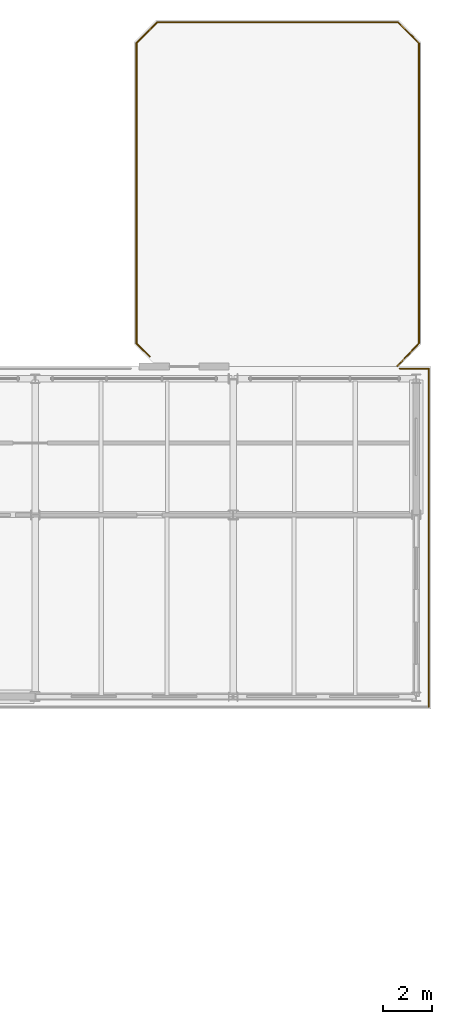
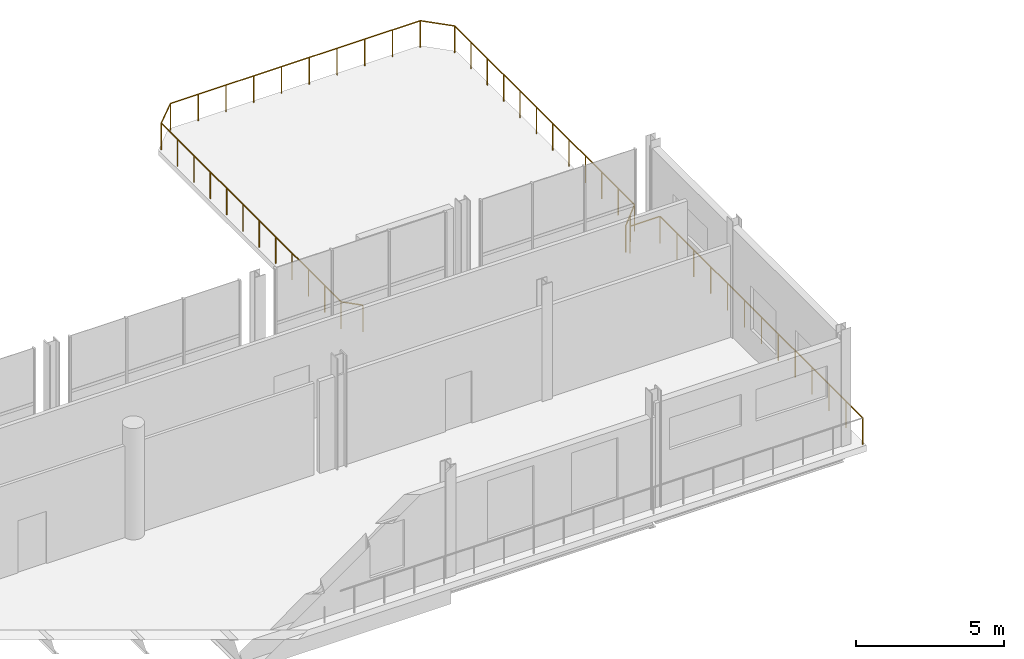
# One storey, part 51 of 51: 9 railings.
"""IFC4 building model written with IfcOpenShell, lengths in metres."""

import ifcopenshell
import ifcopenshell.guid

model = None  # the IFC model being written
_history = None  # IfcOwnerHistory: only IFC2X3 demands one
_inside = {}  # id of a spatial element -> (the spatial element, [elements in it])
_under = {}  # id of a project, library or spatial element -> (it, [spatial elements below it])
_declared = {}  # id of a project -> (the project, [libraries it declares])
_typed = {}  # id of a type object -> (the type object, [elements of that type])
_made_of = {}  # id of a material, layer set ... -> (it, [elements and type objects made of it])


def new_model(schema):
    """Start an empty IFC model of exactly this schema.

    Asked for "IFC4X3", IfcOpenShell would pick the latest addendum, in which some entities
    have other attributes; the version numbers below select the first issue.
    IFC2X3 requires an IfcOwnerHistory on every rooted entity: one is made here for all.
    """
    global model, _history
    if schema == "IFC4X3":
        model = ifcopenshell.file(schema_version=(4, 3, 0, 0))
    else:
        model = ifcopenshell.file(schema=schema)
    _inside.clear()
    _under.clear()
    _declared.clear()
    _typed.clear()
    _made_of.clear()
    _history = None
    if model.schema == "IFC2X3":
        org = make("IfcOrganization", Name="unknown")
        user = make(
            "IfcPersonAndOrganization",
            ThePerson=make("IfcPerson", FamilyName="unknown"),
            TheOrganization=org,
        )
        app = make(
            "IfcApplication",
            ApplicationDeveloper=org,
            Version="unknown",
            ApplicationFullName="unknown",
            ApplicationIdentifier="unknown",
        )
        _history = make(
            "IfcOwnerHistory",
            OwningUser=user,
            OwningApplication=app,
            ChangeAction="ADDED",
            CreationDate=0,
        )
    return model


def make(cls, **values):
    """One entity of the class cls with the attributes given. An attribute that is None is left unset."""
    return model.create_entity(
        cls, **{name: value for name, value in values.items() if value is not None}
    )


def rooted(cls, **values):
    """An entity with a GlobalId (a new one), such as an element, a storey or a relation."""
    return make(cls, GlobalId=ifcopenshell.guid.new(), OwnerHistory=_history, **values)


def si_unit(unit_type, name, prefix=None):
    """IfcSIUnit, for example si_unit("LENGTHUNIT", "METRE", prefix="MILLI")."""
    return make("IfcSIUnit", UnitType=unit_type, Prefix=prefix, Name=name)


def assignment(units):
    """IfcUnitAssignment: the units of a project."""
    return None if units is None else make("IfcUnitAssignment", Units=units)


def point(xyz):
    """IfcCartesianPoint."""
    return None if xyz is None else make("IfcCartesianPoint", Coordinates=xyz)


def direction(xyz):
    """IfcDirection."""
    return None if xyz is None else make("IfcDirection", DirectionRatios=xyz)


def frame(location, z_axis=None, x_axis=None):
    """IfcAxis2Placement3D, a coordinate frame: its origin and axes. An axis left out is left unset."""
    return make(
        "IfcAxis2Placement3D",
        Location=point(location),
        Axis=direction(z_axis),
        RefDirection=direction(x_axis),
    )


def frame_2d(location, x_axis=None):
    """IfcAxis2Placement2D, a coordinate frame in the plane: its origin and x axis."""
    return make(
        "IfcAxis2Placement2D", Location=point(location), RefDirection=direction(x_axis)
    )


def origin():
    """The frame at (0, 0, 0) with its axes left unset."""
    return frame((0.0, 0.0, 0.0))


def origin_2d():
    """The frame at (0, 0) in the plane with its x axis left unset."""
    return frame_2d((0.0, 0.0))


def place(relative_to, where):
    """IfcLocalPlacement: puts the frame where relative to a parent placement (None: the world)."""
    return make(
        "IfcLocalPlacement", PlacementRelTo=relative_to, RelativePlacement=where
    )


def context(
    kind, dimensions, precision=None, world=None, true_north=None, identifier=None
):
    """IfcGeometricRepresentationContext, for example the 3D "Model" context."""
    return make(
        "IfcGeometricRepresentationContext",
        ContextIdentifier=identifier,
        ContextType=kind,
        CoordinateSpaceDimension=dimensions,
        Precision=precision,
        WorldCoordinateSystem=world,
        TrueNorth=true_north,
    )


def subcontext(parent, identifier, kind, view, scale=None):
    """IfcGeometricRepresentationSubContext, for example "Body" below "Model"."""
    return make(
        "IfcGeometricRepresentationSubContext",
        ContextIdentifier=identifier,
        ContextType=kind,
        ParentContext=parent,
        TargetScale=scale,
        TargetView=view,
    )


def project(units=None, contexts=None):
    """IfcProject with its units and contexts."""
    return rooted(
        "IfcProject",
        Name="project",
        RepresentationContexts=contexts,
        UnitsInContext=assignment(units),
    )


def spatial(cls, under=None, at=None, **own):
    """A site, building, storey or space (cls), placed at a placement, below another one or the project."""
    s = rooted(cls, ObjectPlacement=at, **own)
    if under is not None:
        _under.setdefault(under.id(), (under, []))[1].append(s)
    return s


def profile(cls, at=None, kind="AREA", **sizes):
    """A parametric profile (cls). Its sizes go by their IFC names, for example OverallWidth=200.0."""
    return make(cls, ProfileType=kind, Position=at, **sizes)


def circle(**sizes):
    """IfcCircleProfileDef."""
    return profile("IfcCircleProfileDef", **sizes)


def extrude(swept, where, along, depth):
    """IfcExtrudedAreaSolid: the profile swept, set in the frame where, extruded along a direction by depth."""
    return make(
        "IfcExtrudedAreaSolid",
        SweptArea=swept,
        Position=where,
        ExtrudedDirection=direction(along),
        Depth=depth,
    )


def shape(context_of_items, identifier, shape_type, items):
    """IfcShapeRepresentation: the items that make up one representation, for example the "Body"."""
    return make(
        "IfcShapeRepresentation",
        ContextOfItems=context_of_items,
        RepresentationIdentifier=identifier,
        RepresentationType=shape_type,
        Items=items,
    )


def material(Name=None, Category=None):
    """IfcMaterial."""
    return make("IfcMaterial", Name=Name, Category=Category)


def made_of(thing, what):
    """Note that an element or type object is made of a material, layer set ...; save() writes the relation."""
    if what is not None:
        _made_of.setdefault(what.id(), (what, []))[1].append(thing)
    return thing


def type_object(cls, material=None, **own):
    """A type object (cls), such as IfcWallType, which elements share."""
    return made_of(rooted(cls, **own), material)


def element(
    cls,
    number,
    at=None,
    inside=None,
    cuts=None,
    type_object=None,
    material=None,
    context=None,
    identifier="Body",
    shape_type=None,
    held_by="IfcProductDefinitionShape",
    body=None,
    shapes=None,
    **own,
):
    """One element of the class cls, such as IfcWall. Its Tag is "e" and its number.

    at: its placement. inside: the storey or other place that contains it. cuts: it is an
    opening in that element (IfcRelVoidsElement). A single representation is given by context,
    identifier, shape_type and body (its items); several are given by shapes. held_by: the class
    of the entity that holds the representations. save() writes the other relations.
    """
    e = rooted(cls, Tag="e%d" % number, ObjectPlacement=at, **own)
    if body is not None:
        shapes = [shape(context, identifier, shape_type, body)]
    if shapes is not None:
        e.Representation = make(held_by, Representations=shapes)
    if inside is not None:
        _inside.setdefault(inside.id(), (inside, []))[1].append(e)
    if cuts is not None:
        rooted(
            "IfcRelVoidsElement", RelatingBuildingElement=cuts, RelatedOpeningElement=e
        )
    if type_object is not None:
        _typed.setdefault(type_object.id(), (type_object, []))[1].append(e)
    return made_of(e, material)


def aggregate(whole, parts):
    """IfcRelAggregates: a whole, such as a stair, and the parts it consists of."""
    return rooted("IfcRelAggregates", RelatingObject=whole, RelatedObjects=parts)


def save(model, path):
    """Write the relations noted so far, then the file.

    IfcRelAggregates (storeys below a building ...), IfcRelContainedInSpatialStructure (elements
    in a storey), IfcRelDefinesByType, IfcRelAssociatesMaterial and IfcRelDeclares: one each for
    every whole, place, type object, material and project.
    """
    for whole, parts in _under.values():
        aggregate(whole, parts)
    for where, things in _inside.values():
        rooted(
            "IfcRelContainedInSpatialStructure",
            RelatedElements=things,
            RelatingStructure=where,
        )
    for kind, things in _typed.values():
        rooted("IfcRelDefinesByType", RelatedObjects=things, RelatingType=kind)
    for what, things in _made_of.values():
        rooted("IfcRelAssociatesMaterial", RelatedObjects=things, RelatingMaterial=what)
    for by, libraries in _declared.values():
        rooted("IfcRelDeclares", RelatingContext=by, RelatedDefinitions=libraries)
    model.write(path)


model = new_model("IFC4")

# Units and contexts
model_context = context("Model", 3, precision=1e-05, world=origin(), true_north=direction((0.0, 1.0)))
body_context = subcontext(model_context, "Body", "Model", "MODEL_VIEW")
ifc_project = project(units=[si_unit("LENGTHUNIT", "METRE"), si_unit("AREAUNIT", "SQUARE_METRE"), si_unit("VOLUMEUNIT", "CUBIC_METRE"), si_unit("PLANEANGLEUNIT", "RADIAN"), si_unit("MASSUNIT", "GRAM", prefix="KILO")], contexts=[model_context])

# Site, building, storey
site_placement = place(None, origin())
site = spatial("IfcSite", under=ifc_project, at=site_placement, CompositionType="ELEMENT")
building_placement = place(site_placement, origin())
building = spatial("IfcBuilding", under=site, at=building_placement, Name="Brisemont Oceanarium", CompositionType="ELEMENT")
storey_placement = place(building_placement, frame((0.0, 0.0, 15.0)))
storey = spatial("IfcBuildingStorey", under=building, at=storey_placement, Name="L03", CompositionType="ELEMENT", Elevation=15.0)

# Railings
ifc_material = material(Name="Duplex Stainless Steel EN 1.4462", Category="steel")
railing_type = type_object("IfcRailingType", Name="RLG-GUARD-1120", PredefinedType="GUARDRAIL", material=ifc_material)
railing_1_placement = place(storey_placement, frame((148.627197265625, 94.400146484375, 0.0)))
element("IfcRailing", 1, at=railing_1_placement, inside=storey, type_object=railing_type, Name="L03 slab perimeter safety guard 198", PredefinedType="GUARDRAIL", context=body_context, shape_type="SweptSolid", body=[
    extrude(circle(Radius=0.02392578125, at=origin_2d()), frame((0.0, 0.0, 1.09619140625), z_axis=(-0.707106781187, 0.707106781187, 0.0), x_axis=(-0.707106781187, -0.707106781187, 0.0)), (0.0, 0.0, 1.0), 0.759521484375),
    extrude(circle(Radius=0.02099609375, at=origin_2d()), origin(), (0.0, 0.0, 1.0), 1.072021484375),
    extrude(circle(Radius=0.02099609375, at=origin_2d()), frame((-0.537109375, 0.537109375, 0.0)), (0.0, 0.0, 1.0), 1.072021484375),
])
railing_2_placement = place(storey_placement, frame((148.090087890625, 94.937255859375, 0.0)))
element("IfcRailing", 2, at=railing_2_placement, inside=storey, type_object=railing_type, Name="L03 slab perimeter safety guard 199", PredefinedType="GUARDRAIL", context=body_context, shape_type="SweptSolid", body=[
    extrude(circle(Radius=0.02392578125, at=origin_2d()), frame((0.0, 0.0, 1.09619140625), z_axis=(0.0, 1.0, 0.0), x_axis=(-1.0, 0.0, 0.0)), (0.0, 0.0, 1.0), 12.12548828125),
    extrude(circle(Radius=0.02099609375, at=origin_2d()), origin(), (0.0, 0.0, 1.0), 1.072021484375),
    extrude(circle(Radius=0.02099609375, at=origin_2d()), frame((0.0, 1.102294921875, 0.0)), (0.0, 0.0, 1.0), 1.072021484375),
    extrude(circle(Radius=0.02099609375, at=origin_2d()), frame((0.0, 2.20458984375, 0.0)), (0.0, 0.0, 1.0), 1.072021484375),
    extrude(circle(Radius=0.02099609375, at=origin_2d()), frame((0.0, 3.306884765625, 0.0)), (0.0, 0.0, 1.0), 1.072021484375),
    extrude(circle(Radius=0.02099609375, at=origin_2d()), frame((0.0, 4.4091796875, 0.0)), (0.0, 0.0, 1.0), 1.072021484375),
    extrude(circle(Radius=0.02099609375, at=origin_2d()), frame((0.0, 5.511474609375, 0.0)), (0.0, 0.0, 1.0), 1.072021484375),
    extrude(circle(Radius=0.02099609375, at=origin_2d()), frame((0.0, 6.614013671875, 0.0)), (0.0, 0.0, 1.0), 1.072021484375),
    extrude(circle(Radius=0.02099609375, at=origin_2d()), frame((0.0, 7.71630859375, 0.0)), (0.0, 0.0, 1.0), 1.072021484375),
    extrude(circle(Radius=0.02099609375, at=origin_2d()), frame((0.0, 8.818603515625, 0.0)), (0.0, 0.0, 1.0), 1.072021484375),
    extrude(circle(Radius=0.02099609375, at=origin_2d()), frame((0.0, 9.9208984375, 0.0)), (0.0, 0.0, 1.0), 1.072021484375),
    extrude(circle(Radius=0.02099609375, at=origin_2d()), frame((0.0, 11.023193359375, 0.0)), (0.0, 0.0, 1.0), 1.072021484375),
    extrude(circle(Radius=0.02099609375, at=origin_2d()), frame((0.0, 12.12548828125, 0.0)), (0.0, 0.0, 1.0), 1.072021484375),
])
railing_3_placement = place(storey_placement, frame((148.090087890625, 107.062744140625, 0.0)))
element("IfcRailing", 3, at=railing_3_placement, inside=storey, type_object=railing_type, Name="L03 slab perimeter safety guard 200", PredefinedType="GUARDRAIL", context=body_context, shape_type="SweptSolid", body=[
    extrude(circle(Radius=0.02392578125, at=origin_2d()), frame((0.0, 0.0, 1.09619140625), z_axis=(0.707106781187, 0.707106781187, 0.0), x_axis=(-0.707106781187, 0.707106781187, 0.0)), (0.0, 0.0, 1.0), 1.197998046875),
    extrude(circle(Radius=0.02099609375, at=origin_2d()), origin(), (0.0, 0.0, 1.0), 1.072021484375),
    extrude(circle(Radius=0.02099609375, at=origin_2d()), frame((0.84716796875, 0.84716796875, 0.0)), (0.0, 0.0, 1.0), 1.072021484375),
])
railing_4_placement = place(storey_placement, frame((148.937255859375, 107.909912109375, 0.0)))
element("IfcRailing", 4, at=railing_4_placement, inside=storey, type_object=railing_type, Name="L03 slab perimeter safety guard 201", PredefinedType="GUARDRAIL", context=body_context, shape_type="SweptSolid", body=[
    extrude(circle(Radius=0.02392578125, at=origin_2d()), frame((0.0, 0.0, 1.09619140625), z_axis=(1.0, 0.0, 0.0), x_axis=(0.0, 1.0, 0.0)), (0.0, 0.0, 1.0), 9.725341796875),
    extrude(circle(Radius=0.02099609375, at=origin_2d()), origin(), (0.0, 0.0, 1.0), 1.072021484375),
    extrude(circle(Radius=0.02099609375, at=origin_2d()), frame((1.08056640625, 0.0, 0.0)), (0.0, 0.0, 1.0), 1.072021484375),
    extrude(circle(Radius=0.02099609375, at=origin_2d()), frame((2.1611328125, 0.0, 0.0)), (0.0, 0.0, 1.0), 1.072021484375),
    extrude(circle(Radius=0.02099609375, at=origin_2d()), frame((3.24169921875, 0.0, 0.0)), (0.0, 0.0, 1.0), 1.072021484375),
    extrude(circle(Radius=0.02099609375, at=origin_2d()), frame((4.322265625, 0.0, 0.0)), (0.0, 0.0, 1.0), 1.072021484375),
    extrude(circle(Radius=0.02099609375, at=origin_2d()), frame((5.403076171875, 0.0, 0.0)), (0.0, 0.0, 1.0), 1.072021484375),
    extrude(circle(Radius=0.02099609375, at=origin_2d()), frame((6.483642578125, 0.0, 0.0)), (0.0, 0.0, 1.0), 1.072021484375),
    extrude(circle(Radius=0.02099609375, at=origin_2d()), frame((7.564208984375, 0.0, 0.0)), (0.0, 0.0, 1.0), 1.072021484375),
    extrude(circle(Radius=0.02099609375, at=origin_2d()), frame((8.644775390625, 0.0, 0.0)), (0.0, 0.0, 1.0), 1.072021484375),
    extrude(circle(Radius=0.02099609375, at=origin_2d()), frame((9.725341796875, 0.0, 0.0)), (0.0, 0.0, 1.0), 1.072021484375),
])
railing_5_placement = place(storey_placement, frame((158.66259765625, 107.909912109375, 0.0)))
element("IfcRailing", 5, at=railing_5_placement, inside=storey, type_object=railing_type, Name="L03 slab perimeter safety guard 202", PredefinedType="GUARDRAIL", context=body_context, shape_type="SweptSolid", body=[
    extrude(circle(Radius=0.02392578125, at=origin_2d()), frame((0.0, 0.0, 1.09619140625), z_axis=(0.707208647753, -0.707004899943, 0.0), x_axis=(0.707004899943, 0.707208647753, 0.0)), (0.0, 0.0, 1.0), 1.1982421875),
    extrude(circle(Radius=0.02099609375, at=origin_2d()), origin(), (0.0, 0.0, 1.0), 1.072021484375),
    extrude(circle(Radius=0.02099609375, at=origin_2d()), frame((0.847412109375, -0.84716796875, 0.0)), (0.0, 0.0, 1.0), 1.072021484375),
])
railing_6_placement = place(storey_placement, frame((159.510009765625, 107.062744140625, 0.0)))
element("IfcRailing", 6, at=railing_6_placement, inside=storey, type_object=railing_type, Name="L03 slab perimeter safety guard 203", PredefinedType="GUARDRAIL", context=body_context, shape_type="SweptSolid", body=[
    extrude(circle(Radius=0.02392578125, at=origin_2d()), frame((0.0, 0.0, 1.09619140625), z_axis=(0.0, -1.0, 0.0), x_axis=(1.0, 0.0, 0.0)), (0.0, 0.0, 1.0), 12.12548828125),
    extrude(circle(Radius=0.02099609375, at=origin_2d()), origin(), (0.0, 0.0, 1.0), 1.072021484375),
    extrude(circle(Radius=0.02099609375, at=origin_2d()), frame((0.0, -1.102294921875, 0.0)), (0.0, 0.0, 1.0), 1.072021484375),
    extrude(circle(Radius=0.02099609375, at=origin_2d()), frame((0.0, -2.20458984375, 0.0)), (0.0, 0.0, 1.0), 1.072021484375),
    extrude(circle(Radius=0.02099609375, at=origin_2d()), frame((0.0, -3.306884765625, 0.0)), (0.0, 0.0, 1.0), 1.072021484375),
    extrude(circle(Radius=0.02099609375, at=origin_2d()), frame((0.0, -4.4091796875, 0.0)), (0.0, 0.0, 1.0), 1.072021484375),
    extrude(circle(Radius=0.02099609375, at=origin_2d()), frame((0.0, -5.511474609375, 0.0)), (0.0, 0.0, 1.0), 1.072021484375),
    extrude(circle(Radius=0.02099609375, at=origin_2d()), frame((0.0, -6.614013671875, 0.0)), (0.0, 0.0, 1.0), 1.072021484375),
    extrude(circle(Radius=0.02099609375, at=origin_2d()), frame((0.0, -7.71630859375, 0.0)), (0.0, 0.0, 1.0), 1.072021484375),
    extrude(circle(Radius=0.02099609375, at=origin_2d()), frame((0.0, -8.818603515625, 0.0)), (0.0, 0.0, 1.0), 1.072021484375),
    extrude(circle(Radius=0.02099609375, at=origin_2d()), frame((0.0, -9.9208984375, 0.0)), (0.0, 0.0, 1.0), 1.072021484375),
    extrude(circle(Radius=0.02099609375, at=origin_2d()), frame((0.0, -11.023193359375, 0.0)), (0.0, 0.0, 1.0), 1.072021484375),
    extrude(circle(Radius=0.02099609375, at=origin_2d()), frame((0.0, -12.12548828125, 0.0)), (0.0, 0.0, 1.0), 1.072021484375),
])
railing_7_placement = place(storey_placement, frame((159.510009765625, 94.937255859375, 0.0)))
element("IfcRailing", 7, at=railing_7_placement, inside=storey, type_object=railing_type, Name="L03 slab perimeter safety guard 204", PredefinedType="GUARDRAIL", context=body_context, shape_type="SweptSolid", body=[
    extrude(circle(Radius=0.02392578125, at=origin_2d()), frame((0.0, 0.0, 1.09619140625), z_axis=(-0.687103763239, -0.726559301464, 0.0), x_axis=(0.726559301464, -0.687103763239, 0.0)), (0.0, 0.0, 1.0), 1.2685546875),
    extrude(circle(Radius=0.02099609375, at=origin_2d()), origin(), (0.0, 0.0, 1.0), 1.072021484375),
    extrude(circle(Radius=0.02099609375, at=origin_2d()), frame((-0.435791015625, -0.4609375, 0.0)), (0.0, 0.0, 1.0), 1.072021484375),
    extrude(circle(Radius=0.02099609375, at=origin_2d()), frame((-0.87158203125, -0.921630859375, 0.0)), (0.0, 0.0, 1.0), 1.072021484375),
])
railing_8_placement = place(storey_placement, frame((158.741943359375, 93.91015625, 0.0)))
element("IfcRailing", 8, at=railing_8_placement, inside=storey, type_object=railing_type, Name="L03 slab perimeter safety guard 205", PredefinedType="GUARDRAIL", context=body_context, shape_type="SweptSolid", body=[
    extrude(circle(Radius=0.02392578125, at=origin_2d()), frame((0.0, 0.0, 1.09619140625), z_axis=(0.999999978135, -0.000209117519, 0.0), x_axis=(0.000209117519, 0.999999978135, 0.0)), (0.0, 0.0, 1.0), 1.16748046875),
    extrude(circle(Radius=0.02099609375, at=origin_2d()), origin(), (0.0, 0.0, 1.0), 1.072021484375),
    extrude(circle(Radius=0.02099609375, at=origin_2d()), frame((1.16748046875, -0.000244140625, 0.0)), (0.0, 0.0, 1.0), 1.072021484375),
])
railing_9_placement = place(storey_placement, frame((159.909423828125, 93.909912109375, 0.0)))
element("IfcRailing", 9, at=railing_9_placement, inside=storey, type_object=railing_type, Name="L03 slab perimeter safety guard 206", PredefinedType="GUARDRAIL", context=body_context, shape_type="SweptSolid", body=[
    extrude(circle(Radius=0.02392578125, at=origin_2d()), frame((0.0, 0.0, 1.09619140625), z_axis=(3.5720664e-05, -0.999999999362, 0.0), x_axis=(0.999999999362, 3.5720664e-05, 0.0)), (0.0, 0.0, 1.0), 13.66943359375),
    extrude(circle(Radius=0.02099609375, at=origin_2d()), origin(), (0.0, 0.0, 1.0), 1.072021484375),
    extrude(circle(Radius=0.02099609375, at=origin_2d()), frame((0.0, -1.13916015625, 0.0)), (0.0, 0.0, 1.0), 1.072021484375),
    extrude(circle(Radius=0.02099609375, at=origin_2d()), frame((0.0, -2.2783203125, 0.0)), (0.0, 0.0, 1.0), 1.072021484375),
    extrude(circle(Radius=0.02099609375, at=origin_2d()), frame((0.0, -3.41748046875, 0.0)), (0.0, 0.0, 1.0), 1.072021484375),
    extrude(circle(Radius=0.02099609375, at=origin_2d()), frame((0.000244140625, -4.556396484375, 0.0)), (0.0, 0.0, 1.0), 1.072021484375),
    extrude(circle(Radius=0.02099609375, at=origin_2d()), frame((0.000244140625, -5.695556640625, 0.0)), (0.0, 0.0, 1.0), 1.072021484375),
    extrude(circle(Radius=0.02099609375, at=origin_2d()), frame((0.000244140625, -6.834716796875, 0.0)), (0.0, 0.0, 1.0), 1.072021484375),
    extrude(circle(Radius=0.02099609375, at=origin_2d()), frame((0.000244140625, -7.973876953125, 0.0)), (0.0, 0.0, 1.0), 1.072021484375),
    extrude(circle(Radius=0.02099609375, at=origin_2d()), frame((0.000244140625, -9.113037109375, 0.0)), (0.0, 0.0, 1.0), 1.072021484375),
    extrude(circle(Radius=0.02099609375, at=origin_2d()), frame((0.00048828125, -10.251953125, 0.0)), (0.0, 0.0, 1.0), 1.072021484375),
    extrude(circle(Radius=0.02099609375, at=origin_2d()), frame((0.00048828125, -11.39111328125, 0.0)), (0.0, 0.0, 1.0), 1.072021484375),
    extrude(circle(Radius=0.02099609375, at=origin_2d()), frame((0.00048828125, -12.5302734375, 0.0)), (0.0, 0.0, 1.0), 1.072021484375),
    extrude(circle(Radius=0.02099609375, at=origin_2d()), frame((0.00048828125, -13.66943359375, 0.0)), (0.0, 0.0, 1.0), 1.072021484375),
])

save(model, "model.ifc")
